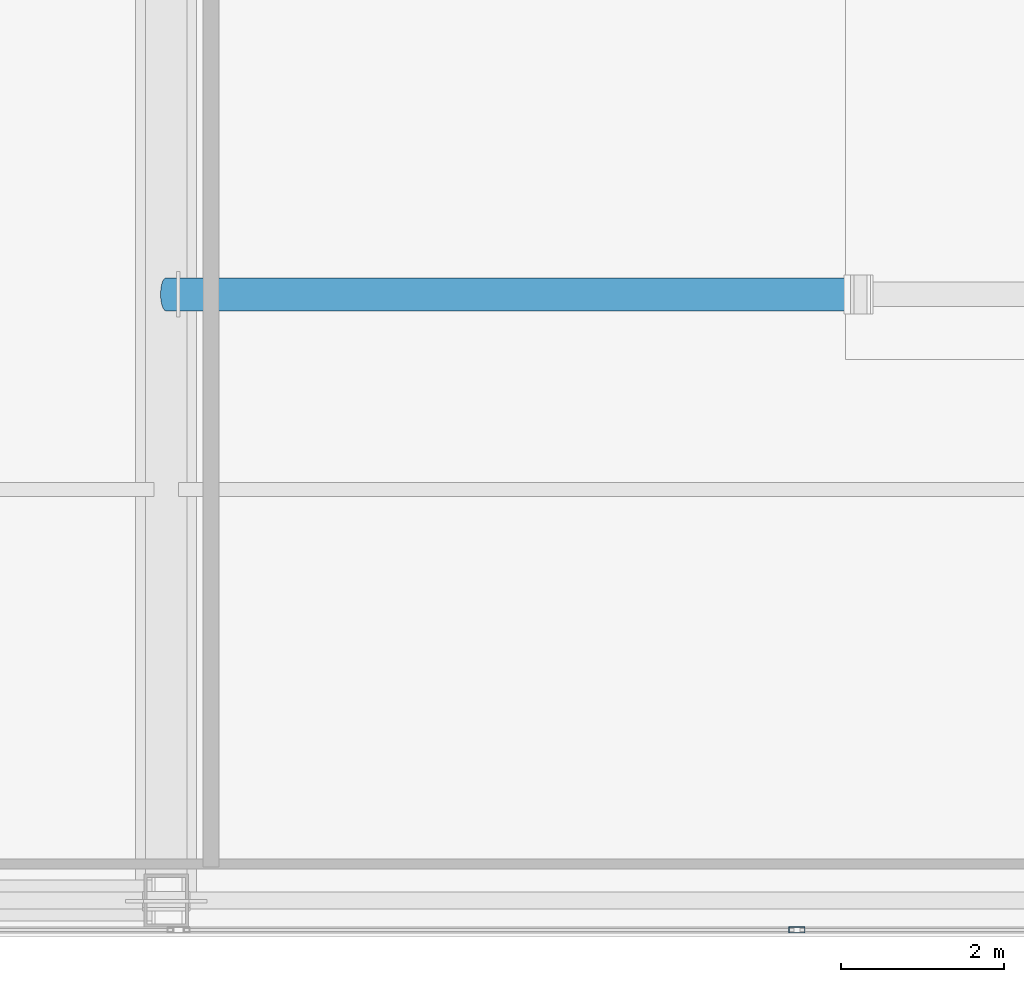
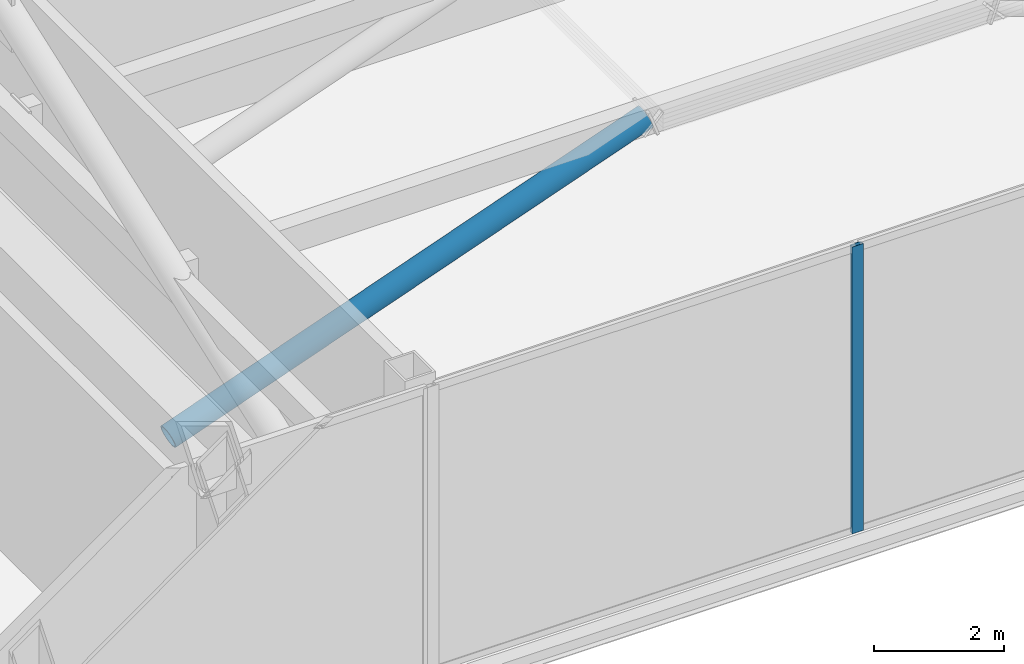
# One storey, part 6 of 26: 2 members, 1 element without a shape of its own.
"""IFC4 building model written with IfcOpenShell, lengths in metres."""

import ifcopenshell
import ifcopenshell.guid

model = None  # the IFC model being written
_history = None  # IfcOwnerHistory: only IFC2X3 demands one
_inside = {}  # id of a spatial element -> (the spatial element, [elements in it])
_under = {}  # id of a project, library or spatial element -> (it, [spatial elements below it])
_declared = {}  # id of a project -> (the project, [libraries it declares])
_typed = {}  # id of a type object -> (the type object, [elements of that type])
_made_of = {}  # id of a material, layer set ... -> (it, [elements and type objects made of it])


def new_model(schema):
    """Start an empty IFC model of exactly this schema.

    Asked for "IFC4X3", IfcOpenShell would pick the latest addendum, in which some entities
    have other attributes; the version numbers below select the first issue.
    IFC2X3 requires an IfcOwnerHistory on every rooted entity: one is made here for all.
    """
    global model, _history
    if schema == "IFC4X3":
        model = ifcopenshell.file(schema_version=(4, 3, 0, 0))
    else:
        model = ifcopenshell.file(schema=schema)
    _inside.clear()
    _under.clear()
    _declared.clear()
    _typed.clear()
    _made_of.clear()
    _history = None
    if model.schema == "IFC2X3":
        org = make("IfcOrganization", Name="unknown")
        user = make(
            "IfcPersonAndOrganization",
            ThePerson=make("IfcPerson", FamilyName="unknown"),
            TheOrganization=org,
        )
        app = make(
            "IfcApplication",
            ApplicationDeveloper=org,
            Version="unknown",
            ApplicationFullName="unknown",
            ApplicationIdentifier="unknown",
        )
        _history = make(
            "IfcOwnerHistory",
            OwningUser=user,
            OwningApplication=app,
            ChangeAction="ADDED",
            CreationDate=0,
        )
    return model


def make(cls, **values):
    """One entity of the class cls with the attributes given. An attribute that is None is left unset."""
    return model.create_entity(
        cls, **{name: value for name, value in values.items() if value is not None}
    )


def rooted(cls, **values):
    """An entity with a GlobalId (a new one), such as an element, a storey or a relation."""
    return make(cls, GlobalId=ifcopenshell.guid.new(), OwnerHistory=_history, **values)


def si_unit(unit_type, name, prefix=None):
    """IfcSIUnit, for example si_unit("LENGTHUNIT", "METRE", prefix="MILLI")."""
    return make("IfcSIUnit", UnitType=unit_type, Prefix=prefix, Name=name)


def assignment(units):
    """IfcUnitAssignment: the units of a project."""
    return None if units is None else make("IfcUnitAssignment", Units=units)


def point(xyz):
    """IfcCartesianPoint."""
    return None if xyz is None else make("IfcCartesianPoint", Coordinates=xyz)


def direction(xyz):
    """IfcDirection."""
    return None if xyz is None else make("IfcDirection", DirectionRatios=xyz)


def frame(location, z_axis=None, x_axis=None):
    """IfcAxis2Placement3D, a coordinate frame: its origin and axes. An axis left out is left unset."""
    return make(
        "IfcAxis2Placement3D",
        Location=point(location),
        Axis=direction(z_axis),
        RefDirection=direction(x_axis),
    )


def frame_2d(location, x_axis=None):
    """IfcAxis2Placement2D, a coordinate frame in the plane: its origin and x axis."""
    return make(
        "IfcAxis2Placement2D", Location=point(location), RefDirection=direction(x_axis)
    )


def origin():
    """The frame at (0, 0, 0) with its axes left unset."""
    return frame((0.0, 0.0, 0.0))


def origin_2d():
    """The frame at (0, 0) in the plane with its x axis left unset."""
    return frame_2d((0.0, 0.0))


def place(relative_to, where):
    """IfcLocalPlacement: puts the frame where relative to a parent placement (None: the world)."""
    return make(
        "IfcLocalPlacement", PlacementRelTo=relative_to, RelativePlacement=where
    )


def context(
    kind, dimensions, precision=None, world=None, true_north=None, identifier=None
):
    """IfcGeometricRepresentationContext, for example the 3D "Model" context."""
    return make(
        "IfcGeometricRepresentationContext",
        ContextIdentifier=identifier,
        ContextType=kind,
        CoordinateSpaceDimension=dimensions,
        Precision=precision,
        WorldCoordinateSystem=world,
        TrueNorth=true_north,
    )


def subcontext(parent, identifier, kind, view, scale=None):
    """IfcGeometricRepresentationSubContext, for example "Body" below "Model"."""
    return make(
        "IfcGeometricRepresentationSubContext",
        ContextIdentifier=identifier,
        ContextType=kind,
        ParentContext=parent,
        TargetScale=scale,
        TargetView=view,
    )


def project(units=None, contexts=None):
    """IfcProject with its units and contexts."""
    return rooted(
        "IfcProject",
        Name="project",
        RepresentationContexts=contexts,
        UnitsInContext=assignment(units),
    )


def spatial(cls, under=None, at=None, **own):
    """A site, building, storey or space (cls), placed at a placement, below another one or the project."""
    s = rooted(cls, ObjectPlacement=at, **own)
    if under is not None:
        _under.setdefault(under.id(), (under, []))[1].append(s)
    return s


def profile(cls, at=None, kind="AREA", **sizes):
    """A parametric profile (cls). Its sizes go by their IFC names, for example OverallWidth=200.0."""
    return make(cls, ProfileType=kind, Position=at, **sizes)


def hollow_rectangle(**sizes):
    """IfcRectangleHollowProfileDef."""
    return profile("IfcRectangleHollowProfileDef", **sizes)


def hollow_circle(**sizes):
    """IfcCircleHollowProfileDef."""
    return profile("IfcCircleHollowProfileDef", **sizes)


def extrude(swept, where, along, depth):
    """IfcExtrudedAreaSolid: the profile swept, set in the frame where, extruded along a direction by depth."""
    return make(
        "IfcExtrudedAreaSolid",
        SweptArea=swept,
        Position=where,
        ExtrudedDirection=direction(along),
        Depth=depth,
    )


def shape(context_of_items, identifier, shape_type, items):
    """IfcShapeRepresentation: the items that make up one representation, for example the "Body"."""
    return make(
        "IfcShapeRepresentation",
        ContextOfItems=context_of_items,
        RepresentationIdentifier=identifier,
        RepresentationType=shape_type,
        Items=items,
    )


def material(Name=None, Category=None):
    """IfcMaterial."""
    return make("IfcMaterial", Name=Name, Category=Category)


def material_profile(
    of_material, cross_section, Name=None, Category=None, Priority=None
):
    """IfcMaterialProfile: a cross section and its material."""
    return make(
        "IfcMaterialProfile",
        Name=Name,
        Material=of_material,
        Profile=cross_section,
        Priority=Priority,
        Category=Category,
    )


def profile_set(profiles, Name=None, composite=None):
    """IfcMaterialProfileSet."""
    return make(
        "IfcMaterialProfileSet",
        Name=Name,
        MaterialProfiles=profiles,
        CompositeProfile=composite,
    )


def made_of(thing, what):
    """Note that an element or type object is made of a material, layer set ...; save() writes the relation."""
    if what is not None:
        _made_of.setdefault(what.id(), (what, []))[1].append(thing)
    return thing


def type_object(cls, material=None, **own):
    """A type object (cls), such as IfcWallType, which elements share."""
    return made_of(rooted(cls, **own), material)


def element(
    cls,
    number,
    at=None,
    inside=None,
    cuts=None,
    type_object=None,
    material=None,
    context=None,
    identifier="Body",
    shape_type=None,
    held_by="IfcProductDefinitionShape",
    body=None,
    shapes=None,
    **own,
):
    """One element of the class cls, such as IfcWall. Its Tag is "e" and its number.

    at: its placement. inside: the storey or other place that contains it. cuts: it is an
    opening in that element (IfcRelVoidsElement). A single representation is given by context,
    identifier, shape_type and body (its items); several are given by shapes. held_by: the class
    of the entity that holds the representations. save() writes the other relations.
    """
    e = rooted(cls, Tag="e%d" % number, ObjectPlacement=at, **own)
    if body is not None:
        shapes = [shape(context, identifier, shape_type, body)]
    if shapes is not None:
        e.Representation = make(held_by, Representations=shapes)
    if inside is not None:
        _inside.setdefault(inside.id(), (inside, []))[1].append(e)
    if cuts is not None:
        rooted(
            "IfcRelVoidsElement", RelatingBuildingElement=cuts, RelatedOpeningElement=e
        )
    if type_object is not None:
        _typed.setdefault(type_object.id(), (type_object, []))[1].append(e)
    return made_of(e, material)


def aggregate(whole, parts):
    """IfcRelAggregates: a whole, such as a stair, and the parts it consists of."""
    return rooted("IfcRelAggregates", RelatingObject=whole, RelatedObjects=parts)


def save(model, path):
    """Write the relations noted so far, then the file.

    IfcRelAggregates (storeys below a building ...), IfcRelContainedInSpatialStructure (elements
    in a storey), IfcRelDefinesByType, IfcRelAssociatesMaterial and IfcRelDeclares: one each for
    every whole, place, type object, material and project.
    """
    for whole, parts in _under.values():
        aggregate(whole, parts)
    for where, things in _inside.values():
        rooted(
            "IfcRelContainedInSpatialStructure",
            RelatedElements=things,
            RelatingStructure=where,
        )
    for kind, things in _typed.values():
        rooted("IfcRelDefinesByType", RelatedObjects=things, RelatingType=kind)
    for what, things in _made_of.values():
        rooted("IfcRelAssociatesMaterial", RelatedObjects=things, RelatingMaterial=what)
    for by, libraries in _declared.values():
        rooted("IfcRelDeclares", RelatingContext=by, RelatedDefinitions=libraries)
    model.write(path)


model = new_model("IFC4")

# Units and contexts
model_context = context("Model", 3, precision=1e-05, world=origin(), true_north=direction((0.0, 1.0)))
body_context = subcontext(model_context, "Body", "Model", "MODEL_VIEW")
ifc_project = project(units=[si_unit("LENGTHUNIT", "METRE"), si_unit("AREAUNIT", "SQUARE_METRE"), si_unit("VOLUMEUNIT", "CUBIC_METRE"), si_unit("PLANEANGLEUNIT", "RADIAN"), si_unit("MASSUNIT", "GRAM", prefix="KILO")], contexts=[model_context])

# Site, building, storey
site_placement = place(None, origin())
site = spatial("IfcSite", under=ifc_project, at=site_placement, CompositionType="ELEMENT")
building_placement = place(site_placement, origin())
building = spatial("IfcBuilding", under=site, at=building_placement, Name="Khoronbel Lancet Exchange", CompositionType="ELEMENT")
storey_placement = place(building_placement, frame((0.0, 0.0, 350.60009765625)))
storey = spatial("IfcBuildingStorey", under=building, at=storey_placement, Name="L91", CompositionType="ELEMENT", Elevation=350.60009765625)

# Curtain wall, member
ifc_material_1 = material(Name="Low-E Solar Control Insulating Glass", Category="glass")
curtain_wall_type = type_object("IfcCurtainWallType", Name="CW-6", PredefinedType="NOTDEFINED", material=ifc_material_1)
curtain_wall_placement = place(storey_placement, origin())
curtain_wall = element("IfcCurtainWall", 1, at=curtain_wall_placement, inside=storey, type_object=curtain_wall_type, Name="Unitised curtain wall CW-L91-SC-TMD", PredefinedType="NOTDEFINED")
ifc_material_2 = material(Name="Bronze-Anodised Aluminium 6063-T6", Category="aluminium")
ifc_material_profile_1 = material_profile(ifc_material_2, hollow_rectangle(XDim=0.074951171875, YDim=0.199951171875, WallThickness=0.0048828125, at=origin_2d()), Name="ALU MULLION 75x200")
ifc_profile_set_1 = profile_set([ifc_material_profile_1], Name="Bronze-Anodised Aluminium 6063-T6")
member_type_1 = type_object("IfcMemberType", Name="MEM-CWM2", PredefinedType="MULLION", material=ifc_profile_set_1)
member_1_placement = place(storey_placement, frame((32.64990234375, 9.7900390625, 0.0), z_axis=(0.0, 0.0, 1.0), x_axis=(0.0, 1.0, 0.0)))
member_1 = element("IfcMember", 2, at=member_1_placement, type_object=member_type_1, Name="CW6 mullion 2", PredefinedType="MULLION", context=body_context, shape_type="SweptSolid", body=[
    extrude(hollow_rectangle(XDim=0.074951171875, YDim=0.199951171875, WallThickness=0.0048828125, at=origin_2d()), origin(), (0.0, 0.0, 1.0), 5.39990234375),
])
aggregate(curtain_wall, [member_1])

# Member
ifc_material_3 = material(Name="Steel S355", Category="steel")
ifc_material_profile_2 = material_profile(ifc_material_3, hollow_circle(Radius=0.203125, WallThickness=0.02001953125, at=origin_2d()), Name="CHS 406.4x20")
ifc_profile_set_2 = profile_set([ifc_material_profile_2], Name="Steel S355")
member_type_2 = type_object("IfcMemberType", Name="MEM-STR2", PredefinedType="STRUT", material=ifc_profile_set_2)
member_2_placement = place(storey_placement, frame((24.89990234375, 17.60009765625, -0.25), z_axis=(0.941246682477, 0.0, 0.337719828743), x_axis=(0.0, 1.0, 0.0)))
element("IfcMember", 3, at=member_2_placement, inside=storey, type_object=member_type_2, Name="Tuned mass damper viscous restraint strut 1", PredefinedType="STRUT", context=body_context, shape_type="SweptSolid", body=[
    extrude(hollow_circle(Radius=0.203125, WallThickness=0.02001953125, at=origin_2d()), origin(), (0.0, 0.0, 1.0), 9.030517578125),
])

save(model, "model.ifc")
